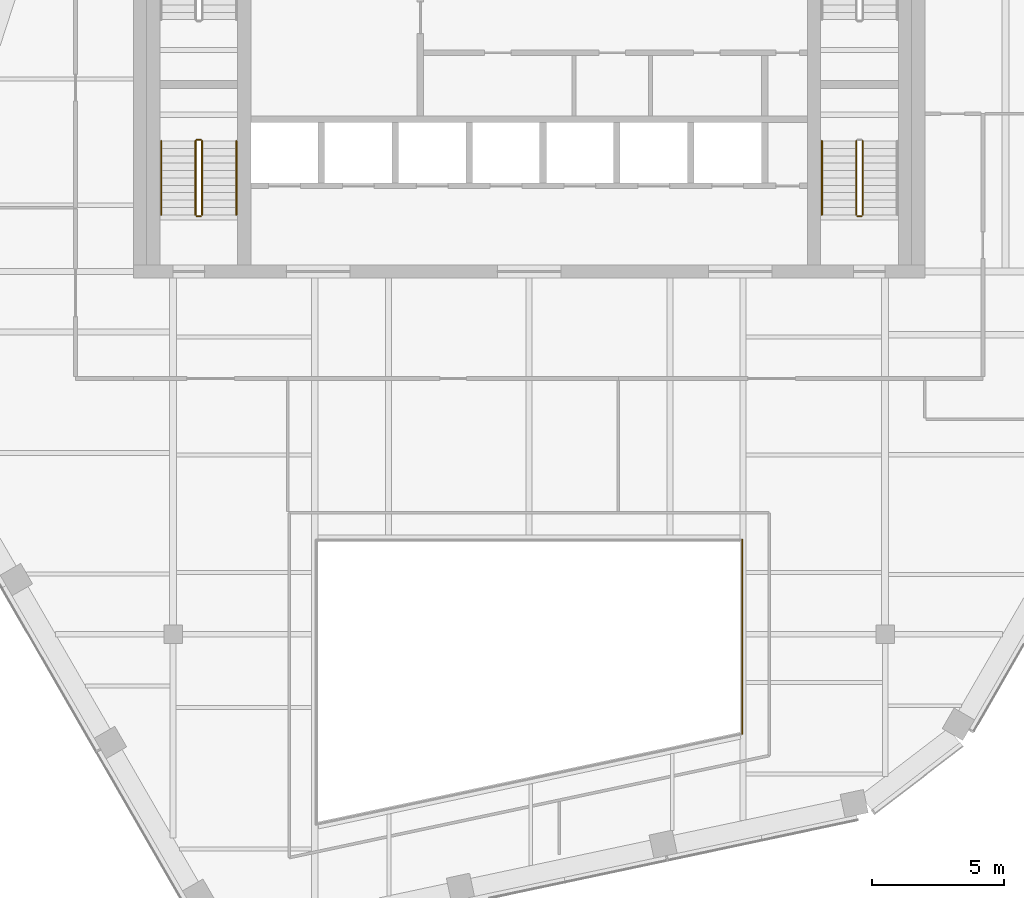
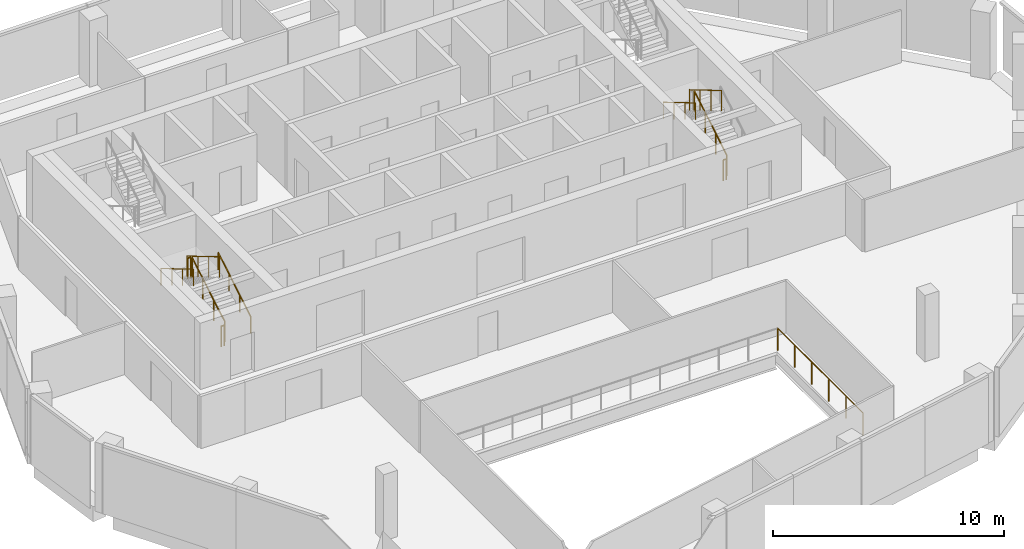
# One storey, part 12 of 15: 11 railings.
"""IFC4 building model written with IfcOpenShell, lengths in metres."""

import ifcopenshell
import ifcopenshell.guid

model = None  # the IFC model being written
_history = None  # IfcOwnerHistory: only IFC2X3 demands one
_inside = {}  # id of a spatial element -> (the spatial element, [elements in it])
_under = {}  # id of a project, library or spatial element -> (it, [spatial elements below it])
_declared = {}  # id of a project -> (the project, [libraries it declares])
_typed = {}  # id of a type object -> (the type object, [elements of that type])
_made_of = {}  # id of a material, layer set ... -> (it, [elements and type objects made of it])


def new_model(schema):
    """Start an empty IFC model of exactly this schema.

    Asked for "IFC4X3", IfcOpenShell would pick the latest addendum, in which some entities
    have other attributes; the version numbers below select the first issue.
    IFC2X3 requires an IfcOwnerHistory on every rooted entity: one is made here for all.
    """
    global model, _history
    if schema == "IFC4X3":
        model = ifcopenshell.file(schema_version=(4, 3, 0, 0))
    else:
        model = ifcopenshell.file(schema=schema)
    _inside.clear()
    _under.clear()
    _declared.clear()
    _typed.clear()
    _made_of.clear()
    _history = None
    if model.schema == "IFC2X3":
        org = make("IfcOrganization", Name="unknown")
        user = make(
            "IfcPersonAndOrganization",
            ThePerson=make("IfcPerson", FamilyName="unknown"),
            TheOrganization=org,
        )
        app = make(
            "IfcApplication",
            ApplicationDeveloper=org,
            Version="unknown",
            ApplicationFullName="unknown",
            ApplicationIdentifier="unknown",
        )
        _history = make(
            "IfcOwnerHistory",
            OwningUser=user,
            OwningApplication=app,
            ChangeAction="ADDED",
            CreationDate=0,
        )
    return model


def make(cls, **values):
    """One entity of the class cls with the attributes given. An attribute that is None is left unset."""
    return model.create_entity(
        cls, **{name: value for name, value in values.items() if value is not None}
    )


def rooted(cls, **values):
    """An entity with a GlobalId (a new one), such as an element, a storey or a relation."""
    return make(cls, GlobalId=ifcopenshell.guid.new(), OwnerHistory=_history, **values)


def si_unit(unit_type, name, prefix=None):
    """IfcSIUnit, for example si_unit("LENGTHUNIT", "METRE", prefix="MILLI")."""
    return make("IfcSIUnit", UnitType=unit_type, Prefix=prefix, Name=name)


def assignment(units):
    """IfcUnitAssignment: the units of a project."""
    return None if units is None else make("IfcUnitAssignment", Units=units)


def point(xyz):
    """IfcCartesianPoint."""
    return None if xyz is None else make("IfcCartesianPoint", Coordinates=xyz)


def direction(xyz):
    """IfcDirection."""
    return None if xyz is None else make("IfcDirection", DirectionRatios=xyz)


def frame(location, z_axis=None, x_axis=None):
    """IfcAxis2Placement3D, a coordinate frame: its origin and axes. An axis left out is left unset."""
    return make(
        "IfcAxis2Placement3D",
        Location=point(location),
        Axis=direction(z_axis),
        RefDirection=direction(x_axis),
    )


def frame_2d(location, x_axis=None):
    """IfcAxis2Placement2D, a coordinate frame in the plane: its origin and x axis."""
    return make(
        "IfcAxis2Placement2D", Location=point(location), RefDirection=direction(x_axis)
    )


def origin():
    """The frame at (0, 0, 0) with its axes left unset."""
    return frame((0.0, 0.0, 0.0))


def origin_2d():
    """The frame at (0, 0) in the plane with its x axis left unset."""
    return frame_2d((0.0, 0.0))


def place(relative_to, where):
    """IfcLocalPlacement: puts the frame where relative to a parent placement (None: the world)."""
    return make(
        "IfcLocalPlacement", PlacementRelTo=relative_to, RelativePlacement=where
    )


def context(
    kind, dimensions, precision=None, world=None, true_north=None, identifier=None
):
    """IfcGeometricRepresentationContext, for example the 3D "Model" context."""
    return make(
        "IfcGeometricRepresentationContext",
        ContextIdentifier=identifier,
        ContextType=kind,
        CoordinateSpaceDimension=dimensions,
        Precision=precision,
        WorldCoordinateSystem=world,
        TrueNorth=true_north,
    )


def subcontext(parent, identifier, kind, view, scale=None):
    """IfcGeometricRepresentationSubContext, for example "Body" below "Model"."""
    return make(
        "IfcGeometricRepresentationSubContext",
        ContextIdentifier=identifier,
        ContextType=kind,
        ParentContext=parent,
        TargetScale=scale,
        TargetView=view,
    )


def project(units=None, contexts=None):
    """IfcProject with its units and contexts."""
    return rooted(
        "IfcProject",
        Name="project",
        RepresentationContexts=contexts,
        UnitsInContext=assignment(units),
    )


def spatial(cls, under=None, at=None, **own):
    """A site, building, storey or space (cls), placed at a placement, below another one or the project."""
    s = rooted(cls, ObjectPlacement=at, **own)
    if under is not None:
        _under.setdefault(under.id(), (under, []))[1].append(s)
    return s


def profile(cls, at=None, kind="AREA", **sizes):
    """A parametric profile (cls). Its sizes go by their IFC names, for example OverallWidth=200.0."""
    return make(cls, ProfileType=kind, Position=at, **sizes)


def circle(**sizes):
    """IfcCircleProfileDef."""
    return profile("IfcCircleProfileDef", **sizes)


def extrude(swept, where, along, depth):
    """IfcExtrudedAreaSolid: the profile swept, set in the frame where, extruded along a direction by depth."""
    return make(
        "IfcExtrudedAreaSolid",
        SweptArea=swept,
        Position=where,
        ExtrudedDirection=direction(along),
        Depth=depth,
    )


def shape(context_of_items, identifier, shape_type, items):
    """IfcShapeRepresentation: the items that make up one representation, for example the "Body"."""
    return make(
        "IfcShapeRepresentation",
        ContextOfItems=context_of_items,
        RepresentationIdentifier=identifier,
        RepresentationType=shape_type,
        Items=items,
    )


def material(Name=None, Category=None):
    """IfcMaterial."""
    return make("IfcMaterial", Name=Name, Category=Category)


def made_of(thing, what):
    """Note that an element or type object is made of a material, layer set ...; save() writes the relation."""
    if what is not None:
        _made_of.setdefault(what.id(), (what, []))[1].append(thing)
    return thing


def type_object(cls, material=None, **own):
    """A type object (cls), such as IfcWallType, which elements share."""
    return made_of(rooted(cls, **own), material)


def element(
    cls,
    number,
    at=None,
    inside=None,
    cuts=None,
    type_object=None,
    material=None,
    context=None,
    identifier="Body",
    shape_type=None,
    held_by="IfcProductDefinitionShape",
    body=None,
    shapes=None,
    **own,
):
    """One element of the class cls, such as IfcWall. Its Tag is "e" and its number.

    at: its placement. inside: the storey or other place that contains it. cuts: it is an
    opening in that element (IfcRelVoidsElement). A single representation is given by context,
    identifier, shape_type and body (its items); several are given by shapes. held_by: the class
    of the entity that holds the representations. save() writes the other relations.
    """
    e = rooted(cls, Tag="e%d" % number, ObjectPlacement=at, **own)
    if body is not None:
        shapes = [shape(context, identifier, shape_type, body)]
    if shapes is not None:
        e.Representation = make(held_by, Representations=shapes)
    if inside is not None:
        _inside.setdefault(inside.id(), (inside, []))[1].append(e)
    if cuts is not None:
        rooted(
            "IfcRelVoidsElement", RelatingBuildingElement=cuts, RelatedOpeningElement=e
        )
    if type_object is not None:
        _typed.setdefault(type_object.id(), (type_object, []))[1].append(e)
    return made_of(e, material)


def aggregate(whole, parts):
    """IfcRelAggregates: a whole, such as a stair, and the parts it consists of."""
    return rooted("IfcRelAggregates", RelatingObject=whole, RelatedObjects=parts)


def save(model, path):
    """Write the relations noted so far, then the file.

    IfcRelAggregates (storeys below a building ...), IfcRelContainedInSpatialStructure (elements
    in a storey), IfcRelDefinesByType, IfcRelAssociatesMaterial and IfcRelDeclares: one each for
    every whole, place, type object, material and project.
    """
    for whole, parts in _under.values():
        aggregate(whole, parts)
    for where, things in _inside.values():
        rooted(
            "IfcRelContainedInSpatialStructure",
            RelatedElements=things,
            RelatingStructure=where,
        )
    for kind, things in _typed.values():
        rooted("IfcRelDefinesByType", RelatedObjects=things, RelatingType=kind)
    for what, things in _made_of.values():
        rooted("IfcRelAssociatesMaterial", RelatedObjects=things, RelatingMaterial=what)
    for by, libraries in _declared.values():
        rooted("IfcRelDeclares", RelatingContext=by, RelatedDefinitions=libraries)
    model.write(path)


model = new_model("IFC4")

# Units and contexts
model_context = context("Model", 3, precision=1e-05, world=origin(), true_north=direction((0.0, 1.0)))
body_context = subcontext(model_context, "Body", "Model", "MODEL_VIEW")
ifc_project = project(units=[si_unit("LENGTHUNIT", "METRE"), si_unit("AREAUNIT", "SQUARE_METRE"), si_unit("VOLUMEUNIT", "CUBIC_METRE"), si_unit("PLANEANGLEUNIT", "RADIAN"), si_unit("MASSUNIT", "GRAM", prefix="KILO")], contexts=[model_context])

# Site, building, storey
site_placement = place(None, origin())
site = spatial("IfcSite", under=ifc_project, at=site_placement, CompositionType="ELEMENT")
building_placement = place(site_placement, origin())
building = spatial("IfcBuilding", under=site, at=building_placement, Name="Isthmus Gate Tower", CompositionType="ELEMENT")
storey_placement = place(building_placement, frame((0.0, 0.0, 271.89990234375)))
storey = spatial("IfcBuildingStorey", under=building, at=storey_placement, Name="L69", CompositionType="ELEMENT", Elevation=271.89990234375)

# Railings
ifc_material_1 = material(Name="Laminated toughened glass balustrade with steel rail", Category="steel")
railing_type_1 = type_object("IfcRailingType", Name="ATRIUM GUARD GLASS BALUSTRADE 1200", PredefinedType="GUARDRAIL", material=ifc_material_1)
railing_1_placement = place(storey_placement, frame((8.080078125, -9.919921875, 0.0)))
element("IfcRailing", 1, at=railing_1_placement, inside=storey, type_object=railing_type_1, Name="L69 atrium guard", PredefinedType="GUARDRAIL", context=body_context, shape_type="SweptSolid", body=[
    extrude(circle(Radius=0.02490234375, at=origin_2d()), frame((0.0, 0.0, 1.1748046875), z_axis=(0.0, -1.0, 0.0), x_axis=(1.0, 0.0, 0.0)), (0.0, 0.0, 1.0), 7.35498046875),
    extrude(circle(Radius=0.02490234375, at=origin_2d()), origin(), (0.0, 0.0, 1.0), 1.14990234375),
    extrude(circle(Radius=0.02490234375, at=origin_2d()), frame((0.0, -1.470947265625, 0.0)), (0.0, 0.0, 1.0), 1.14990234375),
    extrude(circle(Radius=0.02490234375, at=origin_2d()), frame((0.0, -2.94189453125, 0.0)), (0.0, 0.0, 1.0), 1.14990234375),
    extrude(circle(Radius=0.02490234375, at=origin_2d()), frame((0.0, -4.4130859375, 0.0)), (0.0, 0.0, 1.0), 1.14990234375),
    extrude(circle(Radius=0.02490234375, at=origin_2d()), frame((0.0, -5.884033203125, 0.0)), (0.0, 0.0, 1.0), 1.14990234375),
    extrude(circle(Radius=0.02490234375, at=origin_2d()), frame((0.0, -7.35498046875, 0.0)), (0.0, 0.0, 1.0), 1.14990234375),
])
ifc_material_2 = material(Name="Stainless steel balustrade", Category="steel")
railing_type_2 = type_object("IfcRailingType", Name="STAIR GUARD 1100", PredefinedType="GUARDRAIL", material=ifc_material_2)
railing_2_placement = place(storey_placement, frame((-12.39990234375, 2.39990234375, 0.166015625)))
element("IfcRailing", 2, at=railing_2_placement, inside=storey, type_object=railing_type_2, Name="L69 ST7 stair guard 1", PredefinedType="GUARDRAIL", context=body_context, shape_type="SweptSolid", body=[
    extrude(circle(Radius=0.02392578125, at=origin_2d()), frame((0.0, 0.0, 1.076171875), z_axis=(0.0, 0.860306154799, 0.50977771628), x_axis=(-1.0, 0.0, 0.0)), (0.0, 0.0, 1.0), 3.254638671875),
    extrude(circle(Radius=0.02099609375, at=origin_2d()), origin(), (0.0, 0.0, 1.0), 1.052001953125),
    extrude(circle(Radius=0.02099609375, at=origin_2d()), frame((0.0, 0.933349609375, 0.552978515625)), (0.0, 0.0, 1.0), 1.052001953125),
    extrude(circle(Radius=0.02099609375, at=origin_2d()), frame((0.0, 1.86669921875, 1.106201171875)), (0.0, 0.0, 1.0), 1.052001953125),
    extrude(circle(Radius=0.02099609375, at=origin_2d()), frame((0.0, 2.800048828125, 1.6591796875)), (0.0, 0.0, 1.0), 1.052001953125),
])
railing_3_placement = place(storey_placement, frame((-12.449951171875, 5.25, 1.8251953125)))
element("IfcRailing", 3, at=railing_3_placement, inside=storey, type_object=railing_type_2, Name="L69 ST7 stair guard 2", PredefinedType="GUARDRAIL", context=body_context, shape_type="SweptSolid", body=[
    extrude(circle(Radius=0.02392578125, at=origin_2d()), frame((0.0, 0.0, 1.076171875), z_axis=(-1.0, 0.0, 0.0), x_axis=(0.0, -1.0, 0.0)), (0.0, 0.0, 1.0), 0.150146484375),
    extrude(circle(Radius=0.02099609375, at=origin_2d()), origin(), (0.0, 0.0, 1.0), 1.052001953125),
    extrude(circle(Radius=0.02099609375, at=origin_2d()), frame((-0.150146484375, 0.0, 0.0)), (0.0, 0.0, 1.0), 1.052001953125),
])
railing_4_placement = place(storey_placement, frame((-12.64990234375, 5.199951171875, 1.990966796875)))
element("IfcRailing", 4, at=railing_4_placement, inside=storey, type_object=railing_type_2, Name="L69 ST7 stair guard 3", PredefinedType="GUARDRAIL", context=body_context, shape_type="SweptSolid", body=[
    extrude(circle(Radius=0.02392578125, at=origin_2d()), frame((0.0, 0.0, 1.076171875), z_axis=(0.0, -0.860306154799, 0.50977771628), x_axis=(1.0, 0.0, 0.0)), (0.0, 0.0, 1.0), 3.254638671875),
    extrude(circle(Radius=0.02099609375, at=origin_2d()), origin(), (0.0, 0.0, 1.0), 1.052001953125),
    extrude(circle(Radius=0.02099609375, at=origin_2d()), frame((0.0, -0.933349609375, 0.552978515625)), (0.0, 0.0, 1.0), 1.052001953125),
    extrude(circle(Radius=0.02099609375, at=origin_2d()), frame((0.0, -1.86669921875, 1.106201171875)), (0.0, 0.0, 1.0), 1.052001953125),
    extrude(circle(Radius=0.02099609375, at=origin_2d()), frame((0.0, -2.800048828125, 1.6591796875)), (0.0, 0.0, 1.0), 1.052001953125),
])
railing_5_placement = place(storey_placement, frame((-12.449951171875, 2.35009765625, 0.0)))
element("IfcRailing", 5, at=railing_5_placement, inside=storey, type_object=railing_type_2, Name="L69 ST7 stair guard 4", PredefinedType="GUARDRAIL", context=body_context, shape_type="SweptSolid", body=[
    extrude(circle(Radius=0.02392578125, at=origin_2d()), frame((0.0, 0.0, 1.076171875), z_axis=(-1.0, 0.0, 0.0), x_axis=(0.0, -1.0, 0.0)), (0.0, 0.0, 1.0), 0.150146484375),
    extrude(circle(Radius=0.02099609375, at=origin_2d()), origin(), (0.0, 0.0, 1.0), 1.052001953125),
    extrude(circle(Radius=0.02099609375, at=origin_2d()), frame((-0.150146484375, 0.0, 0.0)), (0.0, 0.0, 1.0), 1.052001953125),
])
railing_6_placement = place(storey_placement, frame((12.64990234375, 2.39990234375, 0.166015625)))
element("IfcRailing", 6, at=railing_6_placement, inside=storey, type_object=railing_type_2, Name="L69 ST8 stair guard 1", PredefinedType="GUARDRAIL", context=body_context, shape_type="SweptSolid", body=[
    extrude(circle(Radius=0.02392578125, at=origin_2d()), frame((0.0, 0.0, 1.076171875), z_axis=(0.0, 0.860306154799, 0.50977771628), x_axis=(-1.0, 0.0, 0.0)), (0.0, 0.0, 1.0), 3.254638671875),
    extrude(circle(Radius=0.02099609375, at=origin_2d()), origin(), (0.0, 0.0, 1.0), 1.052001953125),
    extrude(circle(Radius=0.02099609375, at=origin_2d()), frame((0.0, 0.933349609375, 0.552978515625)), (0.0, 0.0, 1.0), 1.052001953125),
    extrude(circle(Radius=0.02099609375, at=origin_2d()), frame((0.0, 1.86669921875, 1.106201171875)), (0.0, 0.0, 1.0), 1.052001953125),
    extrude(circle(Radius=0.02099609375, at=origin_2d()), frame((0.0, 2.800048828125, 1.6591796875)), (0.0, 0.0, 1.0), 1.052001953125),
])
railing_7_placement = place(storey_placement, frame((12.39990234375, 5.199951171875, 1.990966796875)))
element("IfcRailing", 7, at=railing_7_placement, inside=storey, type_object=railing_type_2, Name="L69 ST8 stair guard 3", PredefinedType="GUARDRAIL", context=body_context, shape_type="SweptSolid", body=[
    extrude(circle(Radius=0.02392578125, at=origin_2d()), frame((0.0, 0.0, 1.076171875), z_axis=(0.0, -0.860306154799, 0.50977771628), x_axis=(1.0, 0.0, 0.0)), (0.0, 0.0, 1.0), 3.254638671875),
    extrude(circle(Radius=0.02099609375, at=origin_2d()), origin(), (0.0, 0.0, 1.0), 1.052001953125),
    extrude(circle(Radius=0.02099609375, at=origin_2d()), frame((0.0, -0.933349609375, 0.552978515625)), (0.0, 0.0, 1.0), 1.052001953125),
    extrude(circle(Radius=0.02099609375, at=origin_2d()), frame((0.0, -1.86669921875, 1.106201171875)), (0.0, 0.0, 1.0), 1.052001953125),
    extrude(circle(Radius=0.02099609375, at=origin_2d()), frame((0.0, -2.800048828125, 1.6591796875)), (0.0, 0.0, 1.0), 1.052001953125),
])
railing_8_placement = place(storey_placement, frame((12.60009765625, 2.35009765625, 0.0)))
element("IfcRailing", 8, at=railing_8_placement, inside=storey, type_object=railing_type_2, Name="L69 ST8 stair guard 4", PredefinedType="GUARDRAIL", context=body_context, shape_type="SweptSolid", body=[
    extrude(circle(Radius=0.02392578125, at=origin_2d()), frame((0.0, 0.0, 1.076171875), z_axis=(-1.0, 0.0, 0.0), x_axis=(0.0, -1.0, 0.0)), (0.0, 0.0, 1.0), 0.150146484375),
    extrude(circle(Radius=0.02099609375, at=origin_2d()), origin(), (0.0, 0.0, 1.0), 1.052001953125),
    extrude(circle(Radius=0.02099609375, at=origin_2d()), frame((-0.150146484375, 0.0, 0.0)), (0.0, 0.0, 1.0), 1.052001953125),
])
ifc_material_3 = material(Name="Stainless steel handrail", Category="steel")
railing_type_3 = type_object("IfcRailingType", Name="STAIR HANDRAIL 900", PredefinedType="HANDRAIL", material=ifc_material_3)
railing_9_placement = place(storey_placement, frame((-11.10009765625, 2.39990234375, 0.166015625)))
element("IfcRailing", 9, at=railing_9_placement, inside=storey, type_object=railing_type_3, Name="L69 ST7 stair handrail 1", PredefinedType="HANDRAIL", context=body_context, shape_type="SweptSolid", body=[
    extrude(circle(Radius=0.02392578125, at=origin_2d()), frame((0.0, 0.0, 0.8759765625), z_axis=(0.0, 0.860306154799, 0.50977771628), x_axis=(-1.0, 0.0, 0.0)), (0.0, 0.0, 1.0), 3.254638671875),
    extrude(circle(Radius=0.02099609375, at=origin_2d()), origin(), (0.0, 0.0, 1.0), 0.851806640625),
    extrude(circle(Radius=0.02099609375, at=origin_2d()), frame((0.0, 0.933349609375, 0.552978515625)), (0.0, 0.0, 1.0), 0.851806640625),
    extrude(circle(Radius=0.02099609375, at=origin_2d()), frame((0.0, 1.86669921875, 1.106201171875)), (0.0, 0.0, 1.0), 0.851806640625),
    extrude(circle(Radius=0.02099609375, at=origin_2d()), frame((0.0, 2.800048828125, 1.6591796875)), (0.0, 0.0, 1.0), 0.851806640625),
])
for number, where, name in (
    (10, (-13.949951171875, 5.199951171875, 1.990966796875), "L69 ST7 stair handrail 2"),
    (11, (11.10009765625, 5.199951171875, 1.990966796875), "L69 ST8 stair handrail 2"),
):
    element("IfcRailing", number, at=place(storey_placement, frame(where)), inside=storey, type_object=railing_type_3, Name=name, PredefinedType="HANDRAIL", context=body_context, shape_type="SweptSolid", body=[
        extrude(circle(Radius=0.02392578125, at=origin_2d()), frame((0.0, 0.0, 0.8759765625), z_axis=(0.0, -0.860306154799, 0.50977771628), x_axis=(1.0, 0.0, 0.0)), (0.0, 0.0, 1.0), 3.254638671875),
        extrude(circle(Radius=0.02099609375, at=origin_2d()), origin(), (0.0, 0.0, 1.0), 0.851806640625),
        extrude(circle(Radius=0.02099609375, at=origin_2d()), frame((0.0, -0.933349609375, 0.552978515625)), (0.0, 0.0, 1.0), 0.851806640625),
        extrude(circle(Radius=0.02099609375, at=origin_2d()), frame((0.0, -1.86669921875, 1.106201171875)), (0.0, 0.0, 1.0), 0.851806640625),
        extrude(circle(Radius=0.02099609375, at=origin_2d()), frame((0.0, -2.800048828125, 1.6591796875)), (0.0, 0.0, 1.0), 0.851806640625),
    ])

save(model, "model.ifc")
